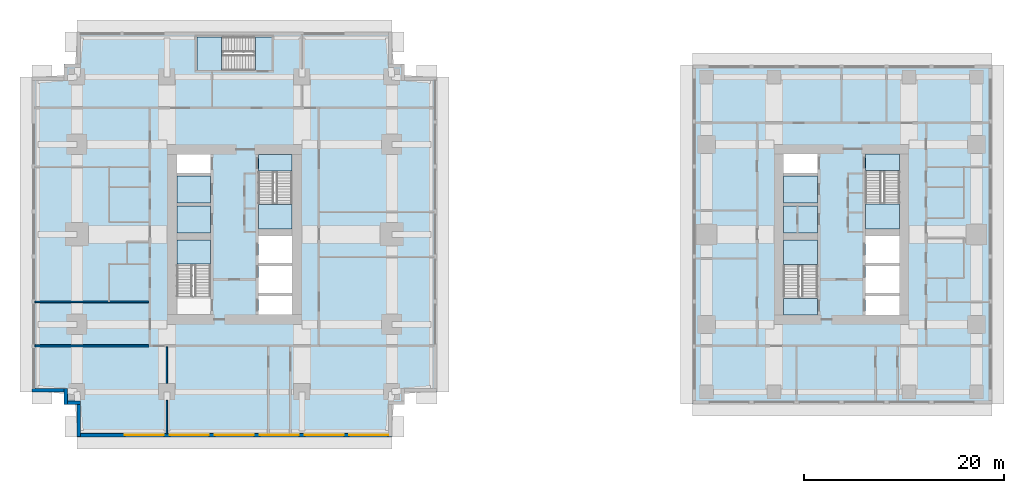
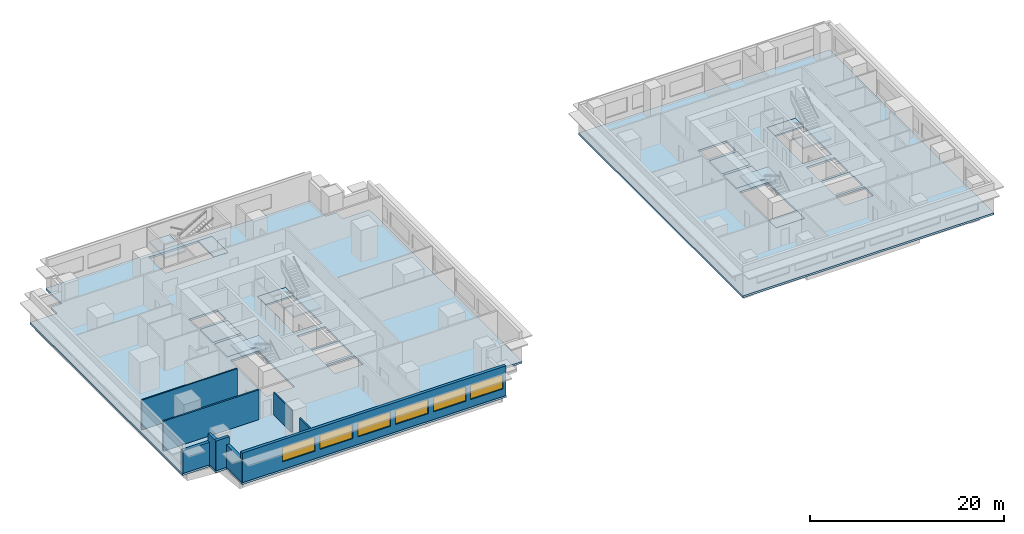
# One storey, part 2 of 11: 15 slabs, 9 walls, 6 windows, 6 openings, 5 elements without a shape of their own.
"""IFC4 building model written with IfcOpenShell, lengths in metres."""

from ifc_helpers import new_model, si_unit, direction, frame, frame_2d, origin, place, context, subcontext, project, spatial, polyline, rectangle, outline, extrude, material, layer, layer_set, type_object, element, fill, aggregate, save


model = new_model("IFC4")

# Units and contexts
model_context = context("Model", 3, precision=1e-05, world=origin(), true_north=direction((0.0, 1.0)))
body_context = subcontext(model_context, "Body", "Model", "MODEL_VIEW")
ifc_project = project(units=[si_unit("LENGTHUNIT", "METRE"), si_unit("AREAUNIT", "SQUARE_METRE"), si_unit("VOLUMEUNIT", "CUBIC_METRE"), si_unit("PLANEANGLEUNIT", "RADIAN"), si_unit("MASSUNIT", "GRAM", prefix="KILO")], contexts=[model_context])

# Site, building, storey
site_placement = place(None, origin())
site = spatial("IfcSite", under=ifc_project, at=site_placement, CompositionType="ELEMENT")
building_placement = place(site_placement, origin())
building = spatial("IfcBuilding", under=site, at=building_placement, Name="Namib Vertical Campus", CompositionType="ELEMENT")
storey_placement = place(building_placement, frame((0.0, 0.0, 201.0)))
storey = spatial("IfcBuildingStorey", under=building, at=storey_placement, Name="L47", CompositionType="ELEMENT", Elevation=201.0)

# Slabs
ifc_material_1 = material(Name="Concrete C40/50", Category="concrete")
ifc_layer_1 = layer(ifc_material_1, 0.25)
ifc_layer_set_1 = layer_set([ifc_layer_1], Name="Concrete C40/50")
slab_type_1 = type_object("IfcSlabType", Name="Floor slab 250", PredefinedType="FLOOR", material=ifc_layer_set_1)
slab_1_placement = place(storey_placement, frame((0.0, 0.0, -0.25)))
element("IfcSlab", 1, at=slab_1_placement, inside=storey, type_object=slab_type_1, Name="Floor slab A L47", PredefinedType="FLOOR", context=body_context, shape_type="SweptSolid", body=[
    extrude(outline(polyline([(4.5, 0.0), (36.0, 0.0), (36.0, 3.22509765625), (37.27490234375, 3.22509765625), (37.27490234375, 4.5), (40.5, 4.5), (40.5, 36.0), (37.27490234375, 36.0), (37.27490234375, 37.27490234375), (36.0, 37.27490234375), (36.0, 40.5), (4.5, 40.5), (4.5, 37.27490234375), (3.22509765625, 37.27490234375), (3.22509765625, 36.0), (0.0, 36.0), (0.0, 4.5), (3.22509765625, 4.5), (3.22509765625, 3.22509765625), (4.5, 3.22509765625), (4.5, 0.0)]), holes=[polyline([(14.5, 12.25), (17.85009765625, 12.25), (17.85009765625, 19.699951171875), (14.5, 19.699951171875), (14.5, 12.25)]), polyline([(22.64990234375, 20.800048828125), (26.0, 20.800048828125), (26.0, 28.25), (22.64990234375, 28.25), (22.64990234375, 20.800048828125)]), polyline([(22.64990234375, 12.25), (26.0, 12.25), (26.0, 14.10009765625), (22.64990234375, 14.10009765625), (22.64990234375, 12.25)]), polyline([(14.5, 20.39990234375), (17.85009765625, 20.39990234375), (17.85009765625, 23.10009765625), (14.5, 23.10009765625), (14.5, 20.39990234375)]), polyline([(14.5, 23.39990234375), (17.85009765625, 23.39990234375), (17.85009765625, 26.10009765625), (14.5, 26.10009765625), (14.5, 23.39990234375)]), polyline([(14.5, 26.39990234375), (17.85009765625, 26.39990234375), (17.85009765625, 28.25), (14.5, 28.25), (14.5, 26.39990234375)]), polyline([(22.64990234375, 14.39990234375), (26.0, 14.39990234375), (26.0, 17.10009765625), (22.64990234375, 17.10009765625), (22.64990234375, 14.39990234375)]), polyline([(22.64990234375, 17.39990234375), (26.0, 17.39990234375), (26.0, 20.10009765625), (22.64990234375, 20.10009765625), (22.64990234375, 17.39990234375)]), polyline([(16.5, 36.64990234375), (24.0, 36.64990234375), (24.0, 40.0), (16.5, 40.0), (16.5, 36.64990234375)])]), origin(), (0.0, 0.0, 1.0), 0.25),
])
slab_2_placement = place(storey_placement, frame((0.0, 0.0, -0.25)))
element("IfcSlab", 2, at=slab_2_placement, inside=storey, type_object=slab_type_1, Name="Floor slab B L47", PredefinedType="FLOOR", context=body_context, shape_type="SweptSolid", body=[
    extrude(outline(polyline([(66.10009765625, 3.300048828125), (96.050048828125, 3.300048828125), (96.050048828125, 37.199951171875), (66.10009765625, 37.199951171875), (66.10009765625, 3.300048828125)]), holes=[polyline([(75.199951171875, 12.199951171875), (78.60009765625, 12.199951171875), (78.60009765625, 19.699951171875), (75.199951171875, 19.699951171875), (75.199951171875, 12.199951171875)]), polyline([(83.39990234375, 20.800048828125), (86.800048828125, 20.800048828125), (86.800048828125, 28.300048828125), (83.39990234375, 28.300048828125), (83.39990234375, 20.800048828125)]), polyline([(83.39990234375, 12.199951171875), (86.800048828125, 12.199951171875), (86.800048828125, 14.10009765625), (83.39990234375, 14.10009765625), (83.39990234375, 12.199951171875)]), polyline([(75.199951171875, 20.39990234375), (78.60009765625, 20.39990234375), (78.60009765625, 23.10009765625), (75.199951171875, 23.10009765625), (75.199951171875, 20.39990234375)]), polyline([(75.199951171875, 23.39990234375), (78.60009765625, 23.39990234375), (78.60009765625, 26.10009765625), (75.199951171875, 26.10009765625), (75.199951171875, 23.39990234375)]), polyline([(75.199951171875, 26.39990234375), (78.60009765625, 26.39990234375), (78.60009765625, 28.300048828125), (75.199951171875, 28.300048828125), (75.199951171875, 26.39990234375)]), polyline([(83.39990234375, 14.39990234375), (86.800048828125, 14.39990234375), (86.800048828125, 17.10009765625), (83.39990234375, 17.10009765625), (83.39990234375, 14.39990234375)]), polyline([(83.39990234375, 17.39990234375), (86.800048828125, 17.39990234375), (86.800048828125, 20.10009765625), (83.39990234375, 20.10009765625), (83.39990234375, 17.39990234375)])]), origin(), (0.0, 0.0, 1.0), 0.25),
])
ifc_material_2 = material(Name="Concrete C40/50 precast", Category="concrete")
ifc_layer_2 = layer(ifc_material_2, 0.25)
ifc_layer_set_2 = layer_set([ifc_layer_2], Name="Concrete C40/50 precast")
slab_type_2 = type_object("IfcSlabType", Name="Shaft infill floor 250", PredefinedType="FLOOR", material=ifc_layer_set_2)
slab_3_placement = place(storey_placement, frame((0.0, 0.0, -0.25)))
element("IfcSlab", 3, at=slab_3_placement, inside=storey, type_object=slab_type_2, Name="Shaft infill floor A L47 P1", PredefinedType="FLOOR", context=body_context, shape_type="SweptSolid", body=[
    extrude(outline(polyline([(14.5, 20.39990234375), (17.85009765625, 20.39990234375), (17.85009765625, 23.10009765625), (14.5, 23.10009765625), (14.5, 20.39990234375)])), origin(), (0.0, 0.0, 1.0), 0.25),
])
slab_4_placement = place(storey_placement, frame((0.0, 0.0, -0.25)))
element("IfcSlab", 4, at=slab_4_placement, inside=storey, type_object=slab_type_2, Name="Shaft infill floor A L47 P2", PredefinedType="FLOOR", context=body_context, shape_type="SweptSolid", body=[
    extrude(outline(polyline([(14.5, 23.39990234375), (17.85009765625, 23.39990234375), (17.85009765625, 26.10009765625), (14.5, 26.10009765625), (14.5, 23.39990234375)])), origin(), (0.0, 0.0, 1.0), 0.25),
])
slab_5_placement = place(storey_placement, frame((0.0, 0.0, -0.25)))
element("IfcSlab", 5, at=slab_5_placement, inside=storey, type_object=slab_type_2, Name="Shaft infill floor B L47 P1", PredefinedType="FLOOR", context=body_context, shape_type="SweptSolid", body=[
    extrude(outline(polyline([(75.199951171875, 20.39990234375), (78.60009765625, 20.39990234375), (78.60009765625, 23.10009765625), (75.199951171875, 23.10009765625), (75.199951171875, 20.39990234375)])), origin(), (0.0, 0.0, 1.0), 0.25),
])
slab_6_placement = place(storey_placement, frame((0.0, 0.0, -0.25)))
element("IfcSlab", 6, at=slab_6_placement, inside=storey, type_object=slab_type_2, Name="Shaft infill floor B L47 P2", PredefinedType="FLOOR", context=body_context, shape_type="SweptSolid", body=[
    extrude(outline(polyline([(75.199951171875, 23.39990234375), (78.60009765625, 23.39990234375), (78.60009765625, 26.10009765625), (75.199951171875, 26.10009765625), (75.199951171875, 23.39990234375)])), origin(), (0.0, 0.0, 1.0), 0.25),
])

# Stair, slab
ifc_material_3 = material(Name="Concrete C40/50 precast", Category="concrete")
stair_type_1 = type_object("IfcStairType", Name="Exit stair 4000 rise 24 risers 3350 wide", PredefinedType="HALF_TURN_STAIR", material=ifc_material_3)
stair_1_placement = place(storey_placement, origin())
stair_1 = element("IfcStair", 7, at=stair_1_placement, inside=storey, type_object=stair_type_1, Name="Exit stair A-S1 L47", PredefinedType="HALF_TURN_STAIR")
ifc_material_4 = material(Name="Concrete C40/50", Category="concrete")
ifc_layer_3 = layer(ifc_material_4, 0.199951171875)
ifc_layer_set_3 = layer_set([ifc_layer_3], Name="Concrete C40/50")
slab_type_3 = type_object("IfcSlabType", Name="Stair landing 200", PredefinedType="LANDING", material=ifc_layer_set_3)
slab_7_placement = place(storey_placement, frame((0.0, 0.0, 1.800048828125)))
slab_7 = element("IfcSlab", 8, at=slab_7_placement, type_object=slab_type_3, Name="A-S1 landing 2", PredefinedType="LANDING", context=body_context, shape_type="SweptSolid", body=[
    extrude(outline(polyline([(14.5, 17.276123046875), (17.85009765625, 17.276123046875), (17.85009765625, 19.699951171875), (14.5, 19.699951171875), (14.5, 17.276123046875)])), origin(), (0.0, 0.0, 1.0), 0.199951171875),
])
aggregate(stair_1, [slab_7])

# Stair, slabs
stair_2_placement = place(storey_placement, origin())
stair_2 = element("IfcStair", 9, at=stair_2_placement, inside=storey, type_object=stair_type_1, Name="Exit stair A-S2 L47", PredefinedType="HALF_TURN_STAIR")
slab_8_placement = place(storey_placement, frame((0.0, 0.0, -0.199951171875)))
slab_8 = element("IfcSlab", 10, at=slab_8_placement, type_object=slab_type_3, Name="A-S2 landing 1", PredefinedType="LANDING", context=body_context, shape_type="SweptSolid", body=[
    extrude(outline(polyline([(22.64990234375, 26.59619140625), (26.0, 26.59619140625), (26.0, 28.25), (22.64990234375, 28.25), (22.64990234375, 26.59619140625)])), origin(), (0.0, 0.0, 1.0), 0.199951171875),
])
slab_9_placement = place(storey_placement, frame((0.0, 0.0, 1.800048828125)))
slab_9 = element("IfcSlab", 11, at=slab_9_placement, type_object=slab_type_3, Name="A-S2 landing 2", PredefinedType="LANDING", context=body_context, shape_type="SweptSolid", body=[
    extrude(outline(polyline([(22.64990234375, 20.800048828125), (26.0, 20.800048828125), (26.0, 23.223876953125), (22.64990234375, 23.223876953125), (22.64990234375, 20.800048828125)])), origin(), (0.0, 0.0, 1.0), 0.199951171875),
])
aggregate(stair_2, [slab_8, slab_9])

ifc_material_5 = material(Name="Concrete C40/50 precast", Category="concrete")
stair_type_2 = type_object("IfcStairType", Name="Exit stair 4000 rise 24 risers 3400 wide", PredefinedType="HALF_TURN_STAIR", material=ifc_material_5)
stair_3_placement = place(storey_placement, origin())
stair_3 = element("IfcStair", 12, at=stair_3_placement, inside=storey, type_object=stair_type_2, Name="Exit stair B-S1 L47", PredefinedType="HALF_TURN_STAIR")
slab_10_placement = place(storey_placement, frame((0.0, 0.0, -0.199951171875)))
slab_10 = element("IfcSlab", 13, at=slab_10_placement, type_object=slab_type_3, Name="B-S1 landing 1", PredefinedType="LANDING", context=body_context, shape_type="SweptSolid", body=[
    extrude(outline(polyline([(75.199951171875, 12.199951171875), (78.60009765625, 12.199951171875), (78.60009765625, 13.85400390625), (75.199951171875, 13.85400390625), (75.199951171875, 12.199951171875)])), origin(), (0.0, 0.0, 1.0), 0.199951171875),
])
slab_11_placement = place(storey_placement, frame((0.0, 0.0, 1.800048828125)))
slab_11 = element("IfcSlab", 14, at=slab_11_placement, type_object=slab_type_3, Name="B-S1 landing 2", PredefinedType="LANDING", context=body_context, shape_type="SweptSolid", body=[
    extrude(outline(polyline([(75.199951171875, 17.22607421875), (78.60009765625, 17.22607421875), (78.60009765625, 19.699951171875), (75.199951171875, 19.699951171875), (75.199951171875, 17.22607421875)])), origin(), (0.0, 0.0, 1.0), 0.199951171875),
])
aggregate(stair_3, [slab_10, slab_11])

stair_4_placement = place(storey_placement, origin())
stair_4 = element("IfcStair", 15, at=stair_4_placement, inside=storey, type_object=stair_type_2, Name="Exit stair B-S2 L47", PredefinedType="HALF_TURN_STAIR")
slab_12_placement = place(storey_placement, frame((0.0, 0.0, -0.199951171875)))
slab_12 = element("IfcSlab", 16, at=slab_12_placement, type_object=slab_type_3, Name="B-S2 landing 1", PredefinedType="LANDING", context=body_context, shape_type="SweptSolid", body=[
    extrude(outline(polyline([(83.39990234375, 26.64599609375), (86.800048828125, 26.64599609375), (86.800048828125, 28.300048828125), (83.39990234375, 28.300048828125), (83.39990234375, 26.64599609375)])), origin(), (0.0, 0.0, 1.0), 0.199951171875),
])
slab_13_placement = place(storey_placement, frame((0.0, 0.0, 1.800048828125)))
slab_13 = element("IfcSlab", 17, at=slab_13_placement, type_object=slab_type_3, Name="B-S2 landing 2", PredefinedType="LANDING", context=body_context, shape_type="SweptSolid", body=[
    extrude(outline(polyline([(83.39990234375, 20.800048828125), (86.800048828125, 20.800048828125), (86.800048828125, 23.27392578125), (83.39990234375, 23.27392578125), (83.39990234375, 20.800048828125)])), origin(), (0.0, 0.0, 1.0), 0.199951171875),
])
aggregate(stair_4, [slab_12, slab_13])

stair_5_placement = place(storey_placement, origin())
stair_5 = element("IfcStair", 18, at=stair_5_placement, inside=storey, type_object=stair_type_1, Name="Exit stair A-S3 L47", PredefinedType="HALF_TURN_STAIR")
slab_14_placement = place(storey_placement, frame((0.0, 0.0, -0.199951171875)))
slab_14 = element("IfcSlab", 19, at=slab_14_placement, type_object=slab_type_3, Name="A-S3 landing 1", PredefinedType="LANDING", context=body_context, shape_type="SweptSolid", body=[
    extrude(outline(polyline([(22.34619140625, 36.64990234375), (22.34619140625, 40.0), (24.0, 40.0), (24.0, 36.64990234375), (22.34619140625, 36.64990234375)])), origin(), (0.0, 0.0, 1.0), 0.199951171875),
])
slab_15_placement = place(storey_placement, frame((0.0, 0.0, 1.800048828125)))
slab_15 = element("IfcSlab", 20, at=slab_15_placement, type_object=slab_type_3, Name="A-S3 landing 2", PredefinedType="LANDING", context=body_context, shape_type="SweptSolid", body=[
    extrude(outline(polyline([(16.5, 36.64990234375), (16.5, 40.0), (18.973876953125, 40.0), (18.973876953125, 36.64990234375), (16.5, 36.64990234375)])), origin(), (0.0, 0.0, 1.0), 0.199951171875),
])
aggregate(stair_5, [slab_14, slab_15])

# Wall
ifc_material_6 = material(Name="Concrete masonry", Category="masonry")
ifc_layer_4 = layer(ifc_material_6, 0.199951171875)
ifc_layer_set_4 = layer_set([ifc_layer_4], Name="Corridor wall 200")
wall_type_1 = type_object("IfcWallType", Name="Corridor wall 200", PredefinedType="SOLIDWALL", material=ifc_layer_set_4)
wall_1_placement = place(storey_placement, frame((0.300048828125, 9.10009765625, 0.0), z_axis=(0.0, 0.0, 1.0), x_axis=(1.0, 0.0, 0.0)))
element("IfcWall", 21, at=wall_1_placement, inside=storey, type_object=wall_type_1, Name="Partition A L47 BSW", PredefinedType="SOLIDWALL", context=body_context, shape_type="SweptSolid", body=[
    extrude(rectangle(XDim=11.39990234375, YDim=0.199951171875, at=frame_2d((5.699951171875, 0.0))), origin(), (0.0, 0.0, 1.0), 3.75),
])

# Wall, openings, windows
ifc_material_7 = material(Name="Concrete C40/50", Category="concrete")
ifc_layer_5 = layer(ifc_material_7, 0.35009765625)
ifc_layer_set_5 = layer_set([ifc_layer_5], Name="Concrete C40/50")
wall_type_2 = type_object("IfcWallType", Name="External wall 350 bush-hammered concrete", PredefinedType="STANDARD", material=ifc_layer_set_5)
wall_2_placement = place(storey_placement, frame((4.52001953125, 0.175048828125, 0.0), z_axis=(0.0, 0.0, 1.0), x_axis=(1.0, 0.0, 0.0)))
wall_2 = element("IfcWall", 22, at=wall_2_placement, inside=storey, type_object=wall_type_2, Name="External wall L47 F01", PredefinedType="STANDARD", context=body_context, shape_type="SweptSolid", body=[
    extrude(rectangle(XDim=31.4599609375, YDim=0.35009765625, at=frame_2d((15.72998046875, 0.0))), origin(), (0.0, 0.0, 1.0), 3.75),
])
opening_1_placement = place(wall_2_placement, frame((4.780029296875, 0.0, 0.949951171875)))
opening_1 = element("IfcOpeningElement", 23, at=opening_1_placement, cuts=wall_2, Name="Opening W3", PredefinedType="OPENING", context=body_context, shape_type="SweptSolid", body=[
    extrude(rectangle(XDim=3.89990234375, YDim=1.800048828125, at=frame_2d((1.949951171875, 0.89990234375))), frame((0.0, 0.18505859375, 0.0), z_axis=(0.0, -1.0, 0.0), x_axis=(1.0, 0.0, 0.0)), (0.0, 0.0, 1.0), 0.3701171875),
])
opening_2_placement = place(wall_2_placement, frame((9.280029296875, 0.0, 0.949951171875)))
opening_2 = element("IfcOpeningElement", 24, at=opening_2_placement, cuts=wall_2, Name="Opening W3", PredefinedType="OPENING", context=body_context, shape_type="SweptSolid", body=[
    extrude(rectangle(XDim=3.89990234375, YDim=1.800048828125, at=frame_2d((1.949951171875, 0.89990234375))), frame((0.0, 0.18505859375, 0.0), z_axis=(0.0, -1.0, 0.0), x_axis=(1.0, 0.0, 0.0)), (0.0, 0.0, 1.0), 0.3701171875),
])
opening_3_placement = place(wall_2_placement, frame((13.780029296875, 0.0, 0.949951171875)))
opening_3 = element("IfcOpeningElement", 25, at=opening_3_placement, cuts=wall_2, Name="Opening W3", PredefinedType="OPENING", context=body_context, shape_type="SweptSolid", body=[
    extrude(rectangle(XDim=3.89990234375, YDim=1.800048828125, at=frame_2d((1.949951171875, 0.89990234375))), frame((0.0, 0.18505859375, 0.0), z_axis=(0.0, -1.0, 0.0), x_axis=(1.0, 0.0, 0.0)), (0.0, 0.0, 1.0), 0.3701171875),
])
opening_4_placement = place(wall_2_placement, frame((18.280029296875, 0.0, 0.949951171875)))
opening_4 = element("IfcOpeningElement", 26, at=opening_4_placement, cuts=wall_2, Name="Opening W3", PredefinedType="OPENING", context=body_context, shape_type="SweptSolid", body=[
    extrude(rectangle(XDim=3.89990234375, YDim=1.800048828125, at=frame_2d((1.949951171875, 0.89990234375))), frame((0.0, 0.18505859375, 0.0), z_axis=(0.0, -1.0, 0.0), x_axis=(1.0, 0.0, 0.0)), (0.0, 0.0, 1.0), 0.3701171875),
])
opening_5_placement = place(wall_2_placement, frame((22.780029296875, 0.0, 0.949951171875)))
opening_5 = element("IfcOpeningElement", 27, at=opening_5_placement, cuts=wall_2, Name="Opening W3", PredefinedType="OPENING", context=body_context, shape_type="SweptSolid", body=[
    extrude(rectangle(XDim=3.89990234375, YDim=1.800048828125, at=frame_2d((1.949951171875, 0.89990234375))), frame((0.0, 0.18505859375, 0.0), z_axis=(0.0, -1.0, 0.0), x_axis=(1.0, 0.0, 0.0)), (0.0, 0.0, 1.0), 0.3701171875),
])
opening_6_placement = place(wall_2_placement, frame((27.2099609375, 0.0, 0.949951171875)))
opening_6 = element("IfcOpeningElement", 28, at=opening_6_placement, cuts=wall_2, Name="Opening W3", PredefinedType="OPENING", context=body_context, shape_type="SweptSolid", body=[
    extrude(rectangle(XDim=3.89990234375, YDim=1.800048828125, at=frame_2d((1.949951171875, 0.89990234375))), frame((0.0, 0.18505859375, 0.0), z_axis=(0.0, -1.0, 0.0), x_axis=(1.0, 0.0, 0.0)), (0.0, 0.0, 1.0), 0.3701171875),
])
ifc_material_8 = material(Name="Dark tinted glass in black aluminium frame", Category="aluminium")
window_type = type_object("IfcWindowType", Name="Ribbon window 3900x1800", PartitioningType="SINGLE_PANEL", PredefinedType="WINDOW", material=ifc_material_8)
window_1_placement = place(opening_1_placement, origin())
window_1 = element("IfcWindow", 29, at=window_1_placement, inside=storey, type_object=window_type, Name="Window W3 L47 F01-2", OverallHeight=1.800048828125, OverallWidth=3.89990234375, PartitioningType="SINGLE_PANEL", PredefinedType="WINDOW", context=body_context, shape_type="SweptSolid", body=[
    extrude(rectangle(XDim=3.89990234375, YDim=1.800048828125, at=frame_2d((1.949951171875, 0.89990234375))), frame((0.0, 0.030029296875, 0.0), z_axis=(0.0, -1.0, 0.0), x_axis=(1.0, 0.0, 0.0)), (0.0, 0.0, 1.0), 0.06005859375),
])
fill(opening_1, window_1)
window_2_placement = place(opening_2_placement, origin())
window_2 = element("IfcWindow", 30, at=window_2_placement, inside=storey, type_object=window_type, Name="Window W3 L47 F01-3", OverallHeight=1.800048828125, OverallWidth=3.89990234375, PartitioningType="SINGLE_PANEL", PredefinedType="WINDOW", context=body_context, shape_type="SweptSolid", body=[
    extrude(rectangle(XDim=3.89990234375, YDim=1.800048828125, at=frame_2d((1.949951171875, 0.89990234375))), frame((0.0, 0.030029296875, 0.0), z_axis=(0.0, -1.0, 0.0), x_axis=(1.0, 0.0, 0.0)), (0.0, 0.0, 1.0), 0.06005859375),
])
fill(opening_2, window_2)
window_3_placement = place(opening_3_placement, origin())
window_3 = element("IfcWindow", 31, at=window_3_placement, inside=storey, type_object=window_type, Name="Window W3 L47 F01-4", OverallHeight=1.800048828125, OverallWidth=3.89990234375, PartitioningType="SINGLE_PANEL", PredefinedType="WINDOW", context=body_context, shape_type="SweptSolid", body=[
    extrude(rectangle(XDim=3.89990234375, YDim=1.800048828125, at=frame_2d((1.949951171875, 0.89990234375))), frame((0.0, 0.030029296875, 0.0), z_axis=(0.0, -1.0, 0.0), x_axis=(1.0, 0.0, 0.0)), (0.0, 0.0, 1.0), 0.06005859375),
])
fill(opening_3, window_3)
window_4_placement = place(opening_4_placement, origin())
window_4 = element("IfcWindow", 32, at=window_4_placement, inside=storey, type_object=window_type, Name="Window W3 L47 F01-5", OverallHeight=1.800048828125, OverallWidth=3.89990234375, PartitioningType="SINGLE_PANEL", PredefinedType="WINDOW", context=body_context, shape_type="SweptSolid", body=[
    extrude(rectangle(XDim=3.89990234375, YDim=1.800048828125, at=frame_2d((1.949951171875, 0.89990234375))), frame((0.0, 0.030029296875, 0.0), z_axis=(0.0, -1.0, 0.0), x_axis=(1.0, 0.0, 0.0)), (0.0, 0.0, 1.0), 0.06005859375),
])
fill(opening_4, window_4)
window_5_placement = place(opening_5_placement, origin())
window_5 = element("IfcWindow", 33, at=window_5_placement, inside=storey, type_object=window_type, Name="Window W3 L47 F01-6", OverallHeight=1.800048828125, OverallWidth=3.89990234375, PartitioningType="SINGLE_PANEL", PredefinedType="WINDOW", context=body_context, shape_type="SweptSolid", body=[
    extrude(rectangle(XDim=3.89990234375, YDim=1.800048828125, at=frame_2d((1.949951171875, 0.89990234375))), frame((0.0, 0.030029296875, 0.0), z_axis=(0.0, -1.0, 0.0), x_axis=(1.0, 0.0, 0.0)), (0.0, 0.0, 1.0), 0.06005859375),
])
fill(opening_5, window_5)
window_6_placement = place(opening_6_placement, origin())
window_6 = element("IfcWindow", 34, at=window_6_placement, inside=storey, type_object=window_type, Name="Window W3 L47 F01-7", OverallHeight=1.800048828125, OverallWidth=3.89990234375, PartitioningType="SINGLE_PANEL", PredefinedType="WINDOW", context=body_context, shape_type="SweptSolid", body=[
    extrude(rectangle(XDim=3.89990234375, YDim=1.800048828125, at=frame_2d((1.949951171875, 0.89990234375))), frame((0.0, 0.030029296875, 0.0), z_axis=(0.0, -1.0, 0.0), x_axis=(1.0, 0.0, 0.0)), (0.0, 0.0, 1.0), 0.06005859375),
])
fill(opening_6, window_6)

# Walls
wall_3_placement = place(storey_placement, frame((0.02001953125, 4.675048828125, 0.0), z_axis=(0.0, 0.0, 1.0), x_axis=(1.0, 0.0, 0.0)))
element("IfcWall", 35, at=wall_3_placement, inside=storey, type_object=wall_type_2, Name="External wall L47 F17", PredefinedType="STANDARD", context=body_context, shape_type="SweptSolid", body=[
    extrude(rectangle(XDim=3.534912109375, YDim=0.35009765625, at=frame_2d((1.767578125, 0.0))), origin(), (0.0, 0.0, 1.0), 2.85009765625),
])
for number, where, z_axis, x_axis, name in (
    (36, (3.39990234375, 4.830078125, 0.0), (0.0, 0.0, 1.0), (0.0, -1.0, 0.0), "External wall L47 F18"),
    (37, (3.2451171875, 3.39990234375, 0.0), (0.0, 0.0, 1.0), (1.0, 0.0, 0.0), "External wall L47 F19"),
):
    element("IfcWall", number, at=place(storey_placement, frame(where, z_axis=z_axis, x_axis=x_axis)), inside=storey, type_object=wall_type_2, Name=name, PredefinedType="STANDARD", context=body_context, shape_type="SweptSolid", body=[
        extrude(rectangle(XDim=1.5849609375, YDim=0.35009765625, at=frame_2d((0.79248046875, 0.0))), origin(), (0.0, 0.0, 1.0), 3.75),
    ])
wall_4_placement = place(storey_placement, frame((4.675048828125, 3.554931640625, 0.0), z_axis=(0.0, 0.0, 1.0), x_axis=(0.0, -1.0, 0.0)))
element("IfcWall", 38, at=wall_4_placement, inside=storey, type_object=wall_type_2, Name="External wall L47 F20", PredefinedType="STANDARD", context=body_context, shape_type="SweptSolid", body=[
    extrude(rectangle(XDim=3.534912109375, YDim=0.35009765625, at=frame_2d((1.767578125, 0.0))), origin(), (0.0, 0.0, 1.0), 2.85009765625),
])
ifc_material_9 = material(Name="Gypsum board on steel studs", Category="steel")
ifc_layer_6 = layer(ifc_material_9, 0.14990234375)
ifc_layer_set_6 = layer_set([ifc_layer_6], Name="Gypsum board on steel studs")
wall_type_3 = type_object("IfcWallType", Name="Partition 150", PredefinedType="PARTITIONING", material=ifc_layer_set_6)
wall_5_placement = place(storey_placement, frame((13.5, 0.300048828125, 0.0), z_axis=(0.0, 0.0, 1.0), x_axis=(0.0, 1.0, 0.0)))
element("IfcWall", 39, at=wall_5_placement, inside=storey, type_object=wall_type_3, Name="Partition A L47 PS1", PredefinedType="PARTITIONING", context=body_context, shape_type="SweptSolid", body=[
    extrude(rectangle(XDim=3.35498046875, YDim=0.14990234375, at=frame_2d((1.677490234375, 0.0))), origin(), (0.0, 0.0, 1.0), 2.85009765625),
])
wall_6_placement = place(storey_placement, frame((13.5, 5.344970703125, 0.0), z_axis=(0.0, 0.0, 1.0), x_axis=(0.0, 1.0, 0.0)))
element("IfcWall", 40, at=wall_6_placement, inside=storey, type_object=wall_type_3, Name="Partition A L47 PS1", PredefinedType="PARTITIONING", context=body_context, shape_type="SweptSolid", body=[
    extrude(rectangle(XDim=3.655029296875, YDim=0.14990234375, at=frame_2d((1.82763671875, 0.0))), origin(), (0.0, 0.0, 1.0), 2.85009765625),
])
wall_7_placement = place(storey_placement, frame((0.300048828125, 13.5, 0.0), z_axis=(0.0, 0.0, 1.0), x_axis=(1.0, 0.0, 0.0)))
element("IfcWall", 41, at=wall_7_placement, inside=storey, type_object=wall_type_3, Name="Partition A L47 PW1", PredefinedType="PARTITIONING", context=body_context, shape_type="SweptSolid", body=[
    extrude(rectangle(XDim=11.39990234375, YDim=0.14990234375, at=frame_2d((5.699951171875, 0.0))), origin(), (0.0, 0.0, 1.0), 3.75),
])

save(model, "model.ifc")
